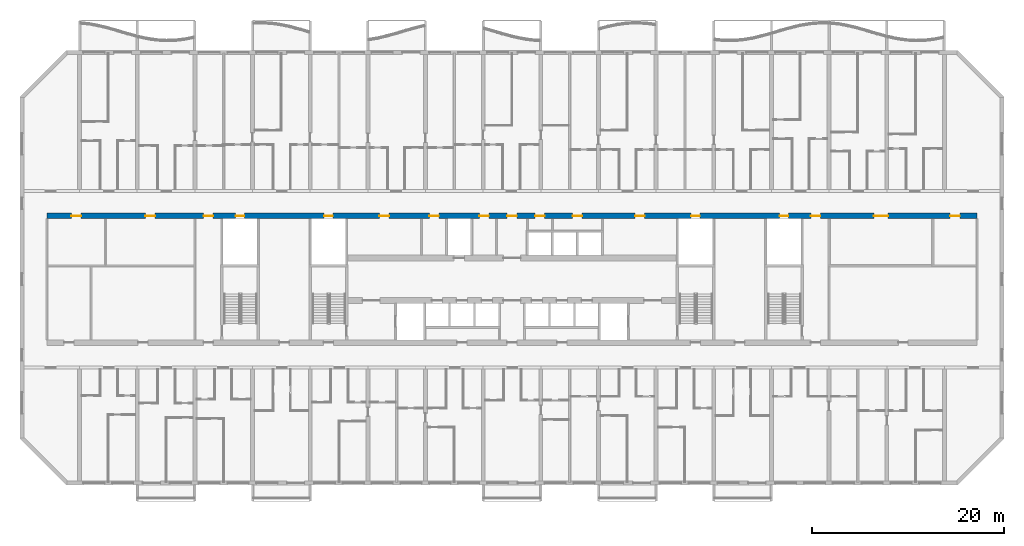
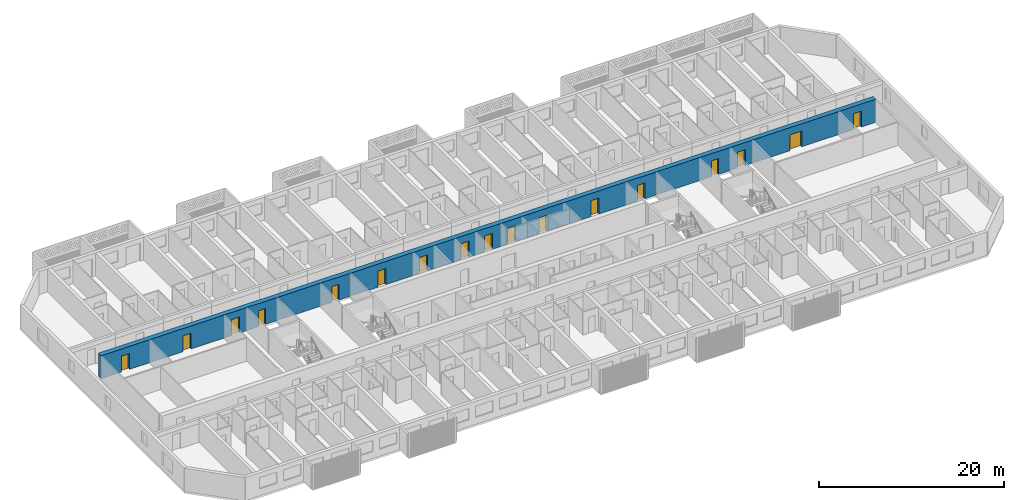
# One storey, part 9 of 40: 17 doors, 1 wall, 17 openings.
"""IFC4 building model written with IfcOpenShell, lengths in metres."""

from ifc_helpers import new_model, si_unit, direction, frame, frame_2d, origin, place, context, subcontext, project, spatial, rectangle, extrude, material, layer, layer_set, type_object, element, fill, save


model = new_model("IFC4")

# Units and contexts
model_context = context("Model", 3, precision=1e-05, world=origin(), true_north=direction((0.0, 1.0)))
body_context = subcontext(model_context, "Body", "Model", "MODEL_VIEW")
ifc_project = project(units=[si_unit("LENGTHUNIT", "METRE"), si_unit("AREAUNIT", "SQUARE_METRE"), si_unit("VOLUMEUNIT", "CUBIC_METRE"), si_unit("PLANEANGLEUNIT", "RADIAN"), si_unit("MASSUNIT", "GRAM", prefix="KILO")], contexts=[model_context])

# Site, building, storey
site_placement = place(None, origin())
site = spatial("IfcSite", under=ifc_project, at=site_placement, CompositionType="ELEMENT")
building_placement = place(site_placement, origin())
building = spatial("IfcBuilding", under=site, at=building_placement, Name="Poui Terraces", CompositionType="ELEMENT")
storey_placement = place(building_placement, frame((0.0, 0.0, 39.89990234375)))
storey = spatial("IfcBuildingStorey", under=building, at=storey_placement, Name="L10", CompositionType="ELEMENT", Elevation=39.89990234375)

# Wall, openings, doors
ifc_material_1 = material(Name="Concrete 80 MPa", Category="concrete")
ifc_layer = layer(ifc_material_1, 0.60009765625)
ifc_layer_set = layer_set([ifc_layer], Name="Concrete 80 MPa")
wall_type = type_object("IfcWallType", Name="SPINE WALL 600 80 MPA", PredefinedType="SOLIDWALL", material=ifc_layer_set)
wall_placement = place(storey_placement, frame((2.60009765625, 27.800048828125, 0.0), z_axis=(0.0, 0.0, 1.0), x_axis=(1.0, 0.0, 0.0)))
wall = element("IfcWall", 1, at=wall_placement, inside=storey, type_object=wall_type, Name="SPINE WALL", PredefinedType="SOLIDWALL", context=body_context, shape_type="SweptSolid", body=[
    extrude(rectangle(XDim=96.7998046875, YDim=0.60009765625, at=frame_2d((48.39990234375, 0.0))), origin(), (0.0, 0.0, 1.0), 3.050048828125),
])
opening_1_placement = place(wall_placement, frame((2.550048828125, 0.0, 0.0)))
opening_1 = element("IfcOpeningElement", 2, at=opening_1_placement, cuts=wall, Name="Opening D100", PredefinedType="OPENING", context=body_context, shape_type="SweptSolid", body=[
    extrude(rectangle(XDim=1.0, YDim=2.10009765625, at=frame_2d((0.5, 1.050048828125))), frame((0.0, 0.31005859375, 0.0), z_axis=(0.0, -1.0, 0.0), x_axis=(1.0, 0.0, 0.0)), (0.0, 0.0, 1.0), 0.6201171875),
])
opening_2_placement = place(wall_placement, frame((10.25, 0.0, 0.0)))
opening_2 = element("IfcOpeningElement", 3, at=opening_2_placement, cuts=wall, Name="Opening FD60", PredefinedType="OPENING", context=body_context, shape_type="SweptSolid", body=[
    extrude(rectangle(XDim=1.0, YDim=2.10009765625, at=frame_2d((0.5, 1.050048828125))), frame((0.0, 0.31005859375, 0.0), z_axis=(0.0, -1.0, 0.0), x_axis=(1.0, 0.0, 0.0)), (0.0, 0.0, 1.0), 0.6201171875),
])
opening_3_placement = place(wall_placement, frame((16.300048828125, 0.0, 0.0)))
opening_3 = element("IfcOpeningElement", 4, at=opening_3_placement, cuts=wall, Name="Opening FDL", PredefinedType="OPENING", context=body_context, shape_type="SweptSolid", body=[
    extrude(rectangle(XDim=1.0, YDim=2.10009765625, at=frame_2d((0.5, 1.050048828125))), frame((0.0, 0.31005859375, 0.0), z_axis=(0.0, -1.0, 0.0), x_axis=(1.0, 0.0, 0.0)), (0.0, 0.0, 1.0), 0.6201171875),
])
opening_4_placement = place(wall_placement, frame((19.64990234375, 0.0, 0.0)))
opening_4 = element("IfcOpeningElement", 5, at=opening_4_placement, cuts=wall, Name="Opening FDR", PredefinedType="OPENING", context=body_context, shape_type="SweptSolid", body=[
    extrude(rectangle(XDim=0.89990234375, YDim=2.10009765625, at=frame_2d((0.449951171875, 1.050048828125))), frame((0.0, 0.31005859375, 0.0), z_axis=(0.0, -1.0, 0.0), x_axis=(1.0, 0.0, 0.0)), (0.0, 0.0, 1.0), 0.6201171875),
])
opening_5_placement = place(wall_placement, frame((28.85009765625, 0.0, 0.0)))
opening_5 = element("IfcOpeningElement", 6, at=opening_5_placement, cuts=wall, Name="Opening FDR", PredefinedType="OPENING", context=body_context, shape_type="SweptSolid", body=[
    extrude(rectangle(XDim=0.89990234375, YDim=2.10009765625, at=frame_2d((0.449951171875, 1.050048828125))), frame((0.0, 0.31005859375, 0.0), z_axis=(0.0, -1.0, 0.0), x_axis=(1.0, 0.0, 0.0)), (0.0, 0.0, 1.0), 0.6201171875),
])
opening_6_placement = place(wall_placement, frame((34.60009765625, 0.0, 0.0)))
opening_6 = element("IfcOpeningElement", 7, at=opening_6_placement, cuts=wall, Name="Opening FD60", PredefinedType="OPENING", context=body_context, shape_type="SweptSolid", body=[
    extrude(rectangle(XDim=1.0, YDim=2.10009765625, at=frame_2d((0.5, 1.050048828125))), frame((0.0, 0.31005859375, 0.0), z_axis=(0.0, -1.0, 0.0), x_axis=(1.0, 0.0, 0.0)), (0.0, 0.0, 1.0), 0.6201171875),
])
opening_7_placement = place(wall_placement, frame((39.800048828125, 0.0, 0.0)))
opening_7 = element("IfcOpeningElement", 8, at=opening_7_placement, cuts=wall, Name="Opening FD60", PredefinedType="OPENING", context=body_context, shape_type="SweptSolid", body=[
    extrude(rectangle(XDim=1.0, YDim=2.10009765625, at=frame_2d((0.5, 1.050048828125))), frame((0.0, 0.31005859375, 0.0), z_axis=(0.0, -1.0, 0.0), x_axis=(1.0, 0.0, 0.0)), (0.0, 0.0, 1.0), 0.6201171875),
])
opening_8_placement = place(wall_placement, frame((45.0, 0.0, 0.0)))
opening_8 = element("IfcOpeningElement", 9, at=opening_8_placement, cuts=wall, Name="Opening FD60", PredefinedType="OPENING", context=body_context, shape_type="SweptSolid", body=[
    extrude(rectangle(XDim=1.0, YDim=2.10009765625, at=frame_2d((0.5, 1.050048828125))), frame((0.0, 0.31005859375, 0.0), z_axis=(0.0, -1.0, 0.0), x_axis=(1.0, 0.0, 0.0)), (0.0, 0.0, 1.0), 0.6201171875),
])
opening_9_placement = place(wall_placement, frame((47.89990234375, 0.0, 0.0)))
opening_9 = element("IfcOpeningElement", 10, at=opening_9_placement, cuts=wall, Name="Opening FDL", PredefinedType="OPENING", context=body_context, shape_type="SweptSolid", body=[
    extrude(rectangle(XDim=1.0, YDim=2.10009765625, at=frame_2d((0.5, 1.050048828125))), frame((0.0, 0.31005859375, 0.0), z_axis=(0.0, -1.0, 0.0), x_axis=(1.0, 0.0, 0.0)), (0.0, 0.0, 1.0), 0.6201171875),
])
opening_10_placement = place(wall_placement, frame((50.800048828125, 0.0, 0.0)))
opening_10 = element("IfcOpeningElement", 11, at=opening_10_placement, cuts=wall, Name="Opening FD60", PredefinedType="OPENING", context=body_context, shape_type="SweptSolid", body=[
    extrude(rectangle(XDim=1.0, YDim=2.10009765625, at=frame_2d((0.5, 1.050048828125))), frame((0.0, 0.31005859375, 0.0), z_axis=(0.0, -1.0, 0.0), x_axis=(1.0, 0.0, 0.0)), (0.0, 0.0, 1.0), 0.6201171875),
])
opening_11_placement = place(wall_placement, frame((54.699951171875, 0.0, 0.0)))
opening_11 = element("IfcOpeningElement", 12, at=opening_11_placement, cuts=wall, Name="Opening FD60", PredefinedType="OPENING", context=body_context, shape_type="SweptSolid", body=[
    extrude(rectangle(XDim=1.0, YDim=2.10009765625, at=frame_2d((0.5, 1.050048828125))), frame((0.0, 0.31005859375, 0.0), z_axis=(0.0, -1.0, 0.0), x_axis=(1.0, 0.0, 0.0)), (0.0, 0.0, 1.0), 0.6201171875),
])
opening_12_placement = place(wall_placement, frame((61.199951171875, 0.0, 0.0)))
opening_12 = element("IfcOpeningElement", 13, at=opening_12_placement, cuts=wall, Name="Opening FD60", PredefinedType="OPENING", context=body_context, shape_type="SweptSolid", body=[
    extrude(rectangle(XDim=1.0, YDim=2.10009765625, at=frame_2d((0.5, 1.050048828125))), frame((0.0, 0.31005859375, 0.0), z_axis=(0.0, -1.0, 0.0), x_axis=(1.0, 0.0, 0.0)), (0.0, 0.0, 1.0), 0.6201171875),
])
opening_13_placement = place(wall_placement, frame((67.050048828125, 0.0, 0.0)))
opening_13 = element("IfcOpeningElement", 14, at=opening_13_placement, cuts=wall, Name="Opening FDR", PredefinedType="OPENING", context=body_context, shape_type="SweptSolid", body=[
    extrude(rectangle(XDim=0.89990234375, YDim=2.10009765625, at=frame_2d((0.449951171875, 1.050048828125))), frame((0.0, 0.31005859375, 0.0), z_axis=(0.0, -1.0, 0.0), x_axis=(1.0, 0.0, 0.0)), (0.0, 0.0, 1.0), 0.6201171875),
])
opening_14_placement = place(wall_placement, frame((76.25, 0.0, 0.0)))
opening_14 = element("IfcOpeningElement", 15, at=opening_14_placement, cuts=wall, Name="Opening FDR", PredefinedType="OPENING", context=body_context, shape_type="SweptSolid", body=[
    extrude(rectangle(XDim=0.89990234375, YDim=2.10009765625, at=frame_2d((0.449951171875, 1.050048828125))), frame((0.0, 0.31005859375, 0.0), z_axis=(0.0, -1.0, 0.0), x_axis=(1.0, 0.0, 0.0)), (0.0, 0.0, 1.0), 0.6201171875),
])
opening_15_placement = place(wall_placement, frame((79.5, 0.0, 0.0)))
opening_15 = element("IfcOpeningElement", 16, at=opening_15_placement, cuts=wall, Name="Opening FDL", PredefinedType="OPENING", context=body_context, shape_type="SweptSolid", body=[
    extrude(rectangle(XDim=1.0, YDim=2.10009765625, at=frame_2d((0.5, 1.050048828125))), frame((0.0, 0.31005859375, 0.0), z_axis=(0.0, -1.0, 0.0), x_axis=(1.0, 0.0, 0.0)), (0.0, 0.0, 1.0), 0.6201171875),
])
opening_16_placement = place(wall_placement, frame((86.050048828125, 0.0, 0.0)))
opening_16 = element("IfcOpeningElement", 17, at=opening_16_placement, cuts=wall, Name="Opening FDP", PredefinedType="OPENING", context=body_context, shape_type="SweptSolid", body=[
    extrude(rectangle(XDim=1.5, YDim=2.10009765625, at=frame_2d((0.75, 1.050048828125))), frame((0.0, 0.31005859375, 0.0), z_axis=(0.0, -1.0, 0.0), x_axis=(1.0, 0.0, 0.0)), (0.0, 0.0, 1.0), 0.6201171875),
])
opening_17_placement = place(wall_placement, frame((94.0, 0.0, 0.0)))
opening_17 = element("IfcOpeningElement", 18, at=opening_17_placement, cuts=wall, Name="Opening D100", PredefinedType="OPENING", context=body_context, shape_type="SweptSolid", body=[
    extrude(rectangle(XDim=1.0, YDim=2.10009765625, at=frame_2d((0.5, 1.050048828125))), frame((0.0, 0.31005859375, 0.0), z_axis=(0.0, -1.0, 0.0), x_axis=(1.0, 0.0, 0.0)), (0.0, 0.0, 1.0), 0.6201171875),
])
ifc_material_2 = material(Name="Solid core timber door", Category="wood")
door_type_1 = type_object("IfcDoorType", Name="ACCESSIBLE INTERNAL DOOR 1000 X 2100", OperationType="NOTDEFINED", PredefinedType="DOOR", material=ifc_material_2)
door_1_placement = place(opening_1_placement, origin())
door_1 = element("IfcDoor", 19, at=door_1_placement, inside=storey, type_object=door_type_1, Name="ACCESSIBLE INTERNAL DOOR 001", OperationType="SINGLE_SWING_LEFT", OverallHeight=2.10009765625, OverallWidth=1.0, PredefinedType="DOOR", context=body_context, shape_type="SweptSolid", body=[
    extrude(rectangle(XDim=1.0, YDim=2.10009765625, at=frame_2d((0.5, 1.050048828125))), frame((0.0, 0.02490234375, 0.0), z_axis=(0.0, -1.0, 0.0), x_axis=(1.0, 0.0, 0.0)), (0.0, 0.0, 1.0), 0.050048828125),
])
fill(opening_1, door_1)
door_2_placement = place(opening_17_placement, origin())
door_2 = element("IfcDoor", 20, at=door_2_placement, inside=storey, type_object=door_type_1, Name="ACCESSIBLE INTERNAL DOOR 017", OperationType="SINGLE_SWING_LEFT", OverallHeight=2.10009765625, OverallWidth=1.0, PredefinedType="DOOR", context=body_context, shape_type="SweptSolid", body=[
    extrude(rectangle(XDim=1.0, YDim=2.10009765625, at=frame_2d((0.5, 1.050048828125))), frame((0.0, 0.02490234375, 0.0), z_axis=(0.0, -1.0, 0.0), x_axis=(1.0, 0.0, 0.0)), (0.0, 0.0, 1.0), 0.050048828125),
])
fill(opening_17, door_2)
ifc_material_3 = material(Name="Steel fire door", Category="steel")
door_type_2 = type_object("IfcDoorType", Name="LOBBY FIRE DOOR 1000 X 2100", OperationType="NOTDEFINED", PredefinedType="DOOR", material=ifc_material_3)
door_3_placement = place(opening_3_placement, origin())
door_3 = element("IfcDoor", 21, at=door_3_placement, inside=storey, type_object=door_type_2, Name="LOBBY FIRE DOOR 003", OperationType="SINGLE_SWING_LEFT", OverallHeight=2.10009765625, OverallWidth=1.0, PredefinedType="DOOR", context=body_context, shape_type="SweptSolid", body=[
    extrude(rectangle(XDim=1.0, YDim=2.10009765625, at=frame_2d((0.5, 1.050048828125))), frame((0.0, 0.02490234375, 0.0), z_axis=(0.0, -1.0, 0.0), x_axis=(1.0, 0.0, 0.0)), (0.0, 0.0, 1.0), 0.050048828125),
])
fill(opening_3, door_3)
door_4_placement = place(opening_9_placement, origin())
door_4 = element("IfcDoor", 22, at=door_4_placement, inside=storey, type_object=door_type_2, Name="LOBBY FIRE DOOR 009", OperationType="SINGLE_SWING_RIGHT", OverallHeight=2.10009765625, OverallWidth=1.0, PredefinedType="DOOR", context=body_context, shape_type="SweptSolid", body=[
    extrude(rectangle(XDim=1.0, YDim=2.10009765625, at=frame_2d((0.5, 1.050048828125))), frame((0.0, 0.02490234375, 0.0), z_axis=(0.0, -1.0, 0.0), x_axis=(1.0, 0.0, 0.0)), (0.0, 0.0, 1.0), 0.050048828125),
])
fill(opening_9, door_4)
door_5_placement = place(opening_15_placement, origin())
door_5 = element("IfcDoor", 23, at=door_5_placement, inside=storey, type_object=door_type_2, Name="LOBBY FIRE DOOR 015", OperationType="SINGLE_SWING_RIGHT", OverallHeight=2.10009765625, OverallWidth=1.0, PredefinedType="DOOR", context=body_context, shape_type="SweptSolid", body=[
    extrude(rectangle(XDim=1.0, YDim=2.10009765625, at=frame_2d((0.5, 1.050048828125))), frame((0.0, 0.02490234375, 0.0), z_axis=(0.0, -1.0, 0.0), x_axis=(1.0, 0.0, 0.0)), (0.0, 0.0, 1.0), 0.050048828125),
])
fill(opening_15, door_5)
door_type_3 = type_object("IfcDoorType", Name="PLANT ROOM DOOR PAIR 1500 X 2100", OperationType="DOUBLE_DOOR_SINGLE_SWING", PredefinedType="DOOR", material=ifc_material_3)
door_6_placement = place(opening_16_placement, origin())
door_6 = element("IfcDoor", 24, at=door_6_placement, inside=storey, type_object=door_type_3, Name="PLANT ROOM DOOR PAIR 016", OperationType="DOUBLE_DOOR_SINGLE_SWING", OverallHeight=2.10009765625, OverallWidth=1.5, PredefinedType="DOOR", context=body_context, shape_type="SweptSolid", body=[
    extrude(rectangle(XDim=1.5, YDim=2.10009765625, at=frame_2d((0.75, 1.050048828125))), frame((0.0, 0.02490234375, 0.0), z_axis=(0.0, -1.0, 0.0), x_axis=(1.0, 0.0, 0.0)), (0.0, 0.0, 1.0), 0.050048828125),
])
fill(opening_16, door_6)
door_type_4 = type_object("IfcDoorType", Name="RISER CUPBOARD DOOR 900 X 2100", OperationType="NOTDEFINED", PredefinedType="DOOR", material=ifc_material_3)
door_7_placement = place(opening_4_placement, origin())
door_7 = element("IfcDoor", 25, at=door_7_placement, inside=storey, type_object=door_type_4, Name="RISER CUPBOARD DOOR 004", OperationType="SINGLE_SWING_LEFT", OverallHeight=2.10009765625, OverallWidth=0.89990234375, PredefinedType="DOOR", context=body_context, shape_type="SweptSolid", body=[
    extrude(rectangle(XDim=0.89990234375, YDim=2.10009765625, at=frame_2d((0.449951171875, 1.050048828125))), frame((0.0, 0.02490234375, 0.0), z_axis=(0.0, -1.0, 0.0), x_axis=(1.0, 0.0, 0.0)), (0.0, 0.0, 1.0), 0.050048828125),
])
fill(opening_4, door_7)
door_8_placement = place(opening_5_placement, origin())
door_8 = element("IfcDoor", 26, at=door_8_placement, inside=storey, type_object=door_type_4, Name="RISER CUPBOARD DOOR 005", OperationType="SINGLE_SWING_LEFT", OverallHeight=2.10009765625, OverallWidth=0.89990234375, PredefinedType="DOOR", context=body_context, shape_type="SweptSolid", body=[
    extrude(rectangle(XDim=0.89990234375, YDim=2.10009765625, at=frame_2d((0.449951171875, 1.050048828125))), frame((0.0, 0.02490234375, 0.0), z_axis=(0.0, -1.0, 0.0), x_axis=(1.0, 0.0, 0.0)), (0.0, 0.0, 1.0), 0.050048828125),
])
fill(opening_5, door_8)
door_9_placement = place(opening_13_placement, origin())
door_9 = element("IfcDoor", 27, at=door_9_placement, inside=storey, type_object=door_type_4, Name="RISER CUPBOARD DOOR 013", OperationType="SINGLE_SWING_RIGHT", OverallHeight=2.10009765625, OverallWidth=0.89990234375, PredefinedType="DOOR", context=body_context, shape_type="SweptSolid", body=[
    extrude(rectangle(XDim=0.89990234375, YDim=2.10009765625, at=frame_2d((0.449951171875, 1.050048828125))), frame((0.0, 0.02490234375, 0.0), z_axis=(0.0, -1.0, 0.0), x_axis=(1.0, 0.0, 0.0)), (0.0, 0.0, 1.0), 0.050048828125),
])
fill(opening_13, door_9)
door_10_placement = place(opening_14_placement, origin())
door_10 = element("IfcDoor", 28, at=door_10_placement, inside=storey, type_object=door_type_4, Name="RISER CUPBOARD DOOR 014", OperationType="SINGLE_SWING_RIGHT", OverallHeight=2.10009765625, OverallWidth=0.89990234375, PredefinedType="DOOR", context=body_context, shape_type="SweptSolid", body=[
    extrude(rectangle(XDim=0.89990234375, YDim=2.10009765625, at=frame_2d((0.449951171875, 1.050048828125))), frame((0.0, 0.02490234375, 0.0), z_axis=(0.0, -1.0, 0.0), x_axis=(1.0, 0.0, 0.0)), (0.0, 0.0, 1.0), 0.050048828125),
])
fill(opening_14, door_10)
door_type_5 = type_object("IfcDoorType", Name="SERVICE ROOM FIRE DOOR 1000 X 2100", OperationType="NOTDEFINED", PredefinedType="DOOR", material=ifc_material_3)
door_11_placement = place(opening_2_placement, origin())
door_11 = element("IfcDoor", 29, at=door_11_placement, inside=storey, type_object=door_type_5, Name="SERVICE ROOM FIRE DOOR 002", OperationType="SINGLE_SWING_RIGHT", OverallHeight=2.10009765625, OverallWidth=1.0, PredefinedType="DOOR", context=body_context, shape_type="SweptSolid", body=[
    extrude(rectangle(XDim=1.0, YDim=2.10009765625, at=frame_2d((0.5, 1.050048828125))), frame((0.0, 0.02490234375, 0.0), z_axis=(0.0, -1.0, 0.0), x_axis=(1.0, 0.0, 0.0)), (0.0, 0.0, 1.0), 0.050048828125),
])
fill(opening_2, door_11)
door_12_placement = place(opening_6_placement, origin())
door_12 = element("IfcDoor", 30, at=door_12_placement, inside=storey, type_object=door_type_5, Name="SERVICE ROOM FIRE DOOR 006", OperationType="SINGLE_SWING_LEFT", OverallHeight=2.10009765625, OverallWidth=1.0, PredefinedType="DOOR", context=body_context, shape_type="SweptSolid", body=[
    extrude(rectangle(XDim=1.0, YDim=2.10009765625, at=frame_2d((0.5, 1.050048828125))), frame((0.0, 0.02490234375, 0.0), z_axis=(0.0, -1.0, 0.0), x_axis=(1.0, 0.0, 0.0)), (0.0, 0.0, 1.0), 0.050048828125),
])
fill(opening_6, door_12)
door_13_placement = place(opening_7_placement, origin())
door_13 = element("IfcDoor", 31, at=door_13_placement, inside=storey, type_object=door_type_5, Name="SERVICE ROOM FIRE DOOR 007", OperationType="SINGLE_SWING_RIGHT", OverallHeight=2.10009765625, OverallWidth=1.0, PredefinedType="DOOR", context=body_context, shape_type="SweptSolid", body=[
    extrude(rectangle(XDim=1.0, YDim=2.10009765625, at=frame_2d((0.5, 1.050048828125))), frame((0.0, 0.02490234375, 0.0), z_axis=(0.0, -1.0, 0.0), x_axis=(1.0, 0.0, 0.0)), (0.0, 0.0, 1.0), 0.050048828125),
])
fill(opening_7, door_13)
door_14_placement = place(opening_8_placement, origin())
door_14 = element("IfcDoor", 32, at=door_14_placement, inside=storey, type_object=door_type_5, Name="SERVICE ROOM FIRE DOOR 008", OperationType="SINGLE_SWING_LEFT", OverallHeight=2.10009765625, OverallWidth=1.0, PredefinedType="DOOR", context=body_context, shape_type="SweptSolid", body=[
    extrude(rectangle(XDim=1.0, YDim=2.10009765625, at=frame_2d((0.5, 1.050048828125))), frame((0.0, 0.02490234375, 0.0), z_axis=(0.0, -1.0, 0.0), x_axis=(1.0, 0.0, 0.0)), (0.0, 0.0, 1.0), 0.050048828125),
])
fill(opening_8, door_14)
door_15_placement = place(opening_10_placement, origin())
door_15 = element("IfcDoor", 33, at=door_15_placement, inside=storey, type_object=door_type_5, Name="SERVICE ROOM FIRE DOOR 010", OperationType="SINGLE_SWING_RIGHT", OverallHeight=2.10009765625, OverallWidth=1.0, PredefinedType="DOOR", context=body_context, shape_type="SweptSolid", body=[
    extrude(rectangle(XDim=1.0, YDim=2.10009765625, at=frame_2d((0.5, 1.050048828125))), frame((0.0, 0.02490234375, 0.0), z_axis=(0.0, -1.0, 0.0), x_axis=(1.0, 0.0, 0.0)), (0.0, 0.0, 1.0), 0.050048828125),
])
fill(opening_10, door_15)
door_16_placement = place(opening_11_placement, origin())
door_16 = element("IfcDoor", 34, at=door_16_placement, inside=storey, type_object=door_type_5, Name="SERVICE ROOM FIRE DOOR 011", OperationType="SINGLE_SWING_LEFT", OverallHeight=2.10009765625, OverallWidth=1.0, PredefinedType="DOOR", context=body_context, shape_type="SweptSolid", body=[
    extrude(rectangle(XDim=1.0, YDim=2.10009765625, at=frame_2d((0.5, 1.050048828125))), frame((0.0, 0.02490234375, 0.0), z_axis=(0.0, -1.0, 0.0), x_axis=(1.0, 0.0, 0.0)), (0.0, 0.0, 1.0), 0.050048828125),
])
fill(opening_11, door_16)
door_17_placement = place(opening_12_placement, origin())
door_17 = element("IfcDoor", 35, at=door_17_placement, inside=storey, type_object=door_type_5, Name="SERVICE ROOM FIRE DOOR 012", OperationType="SINGLE_SWING_RIGHT", OverallHeight=2.10009765625, OverallWidth=1.0, PredefinedType="DOOR", context=body_context, shape_type="SweptSolid", body=[
    extrude(rectangle(XDim=1.0, YDim=2.10009765625, at=frame_2d((0.5, 1.050048828125))), frame((0.0, 0.02490234375, 0.0), z_axis=(0.0, -1.0, 0.0), x_axis=(1.0, 0.0, 0.0)), (0.0, 0.0, 1.0), 0.050048828125),
])
fill(opening_12, door_17)

save(model, "model.ifc")
